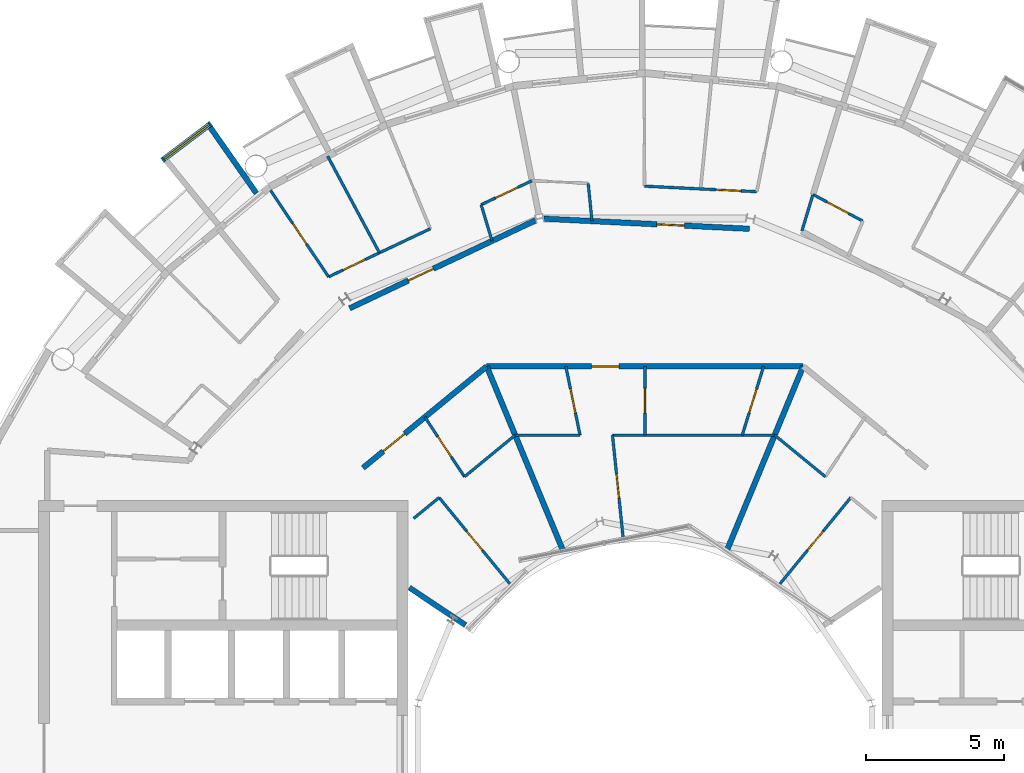
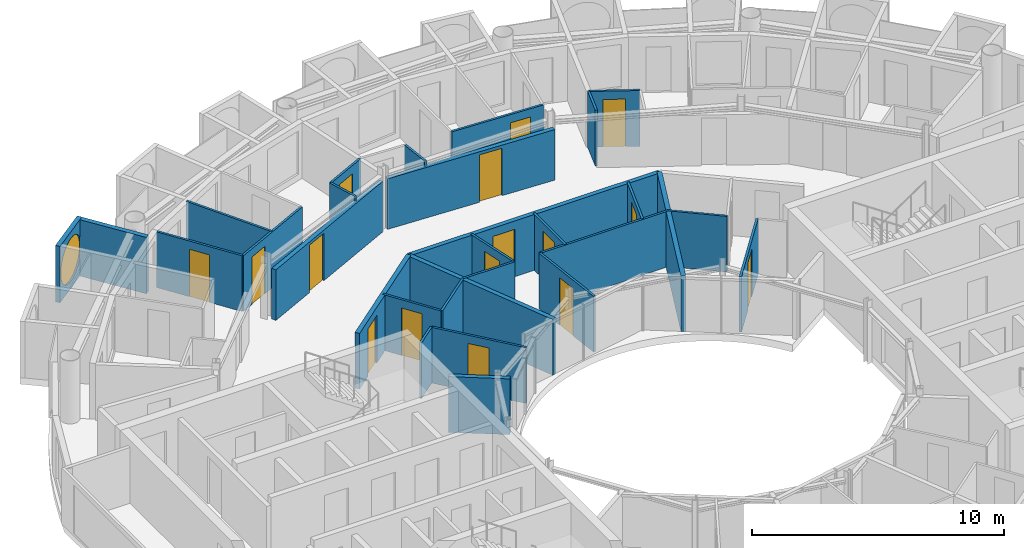
# One storey, part 20 of 27: 30 walls, 16 doors, 1 window, 17 openings.
"""IFC4 building model written with IfcOpenShell, lengths in metres."""

from ifc_helpers import new_model, si_unit, direction, frame, frame_2d, origin, place, context, subcontext, project, spatial, rectangle, circle, extrude, material, layer, layer_set, type_object, element, fill, save


model = new_model("IFC4")

# Units and contexts
model_context = context("Model", 3, precision=1e-05, world=origin(), true_north=direction((0.0, 1.0)))
body_context = subcontext(model_context, "Body", "Model", "MODEL_VIEW")
ifc_project = project(units=[si_unit("LENGTHUNIT", "METRE"), si_unit("AREAUNIT", "SQUARE_METRE"), si_unit("VOLUMEUNIT", "CUBIC_METRE"), si_unit("PLANEANGLEUNIT", "RADIAN"), si_unit("MASSUNIT", "GRAM", prefix="KILO")], contexts=[model_context])

# Site, building, storey
site_placement = place(None, origin())
site = spatial("IfcSite", under=ifc_project, at=site_placement, CompositionType="ELEMENT")
building_placement = place(site_placement, origin())
building = spatial("IfcBuilding", under=site, at=building_placement, Name="Maasbend Ring Residences", CompositionType="ELEMENT")
storey_placement = place(building_placement, frame((0.0, 0.0, 240.14990234375)))
storey = spatial("IfcBuildingStorey", under=building, at=storey_placement, Name="L69", CompositionType="ELEMENT", Elevation=240.14990234375)

# Wall, opening, door
ifc_material_1 = material(Name="Concrete C30/37", Category="concrete")
ifc_layer_1 = layer(ifc_material_1, 0.199951171875)
ifc_layer_set_1 = layer_set([ifc_layer_1], Name="Concrete C30/37")
wall_type_1 = type_object("IfcWallType", Name="CORRIDOR WALL 200 CONCRETE", PredefinedType="PARTITIONING", material=ifc_layer_set_1)
wall_1_placement = place(storey_placement, frame((-5.739990234375, 13.85791015625, 0.0), z_axis=(0.0, 0.0, 1.0), x_axis=(1.0, 0.0, 0.0)))
wall_1 = element("IfcWall", 1, at=wall_1_placement, inside=storey, type_object=wall_type_1, Name="U-L69-w105", PredefinedType="PARTITIONING", context=body_context, shape_type="SweptSolid", body=[
    extrude(rectangle(XDim=11.47998046875, YDim=0.199951171875, at=frame_2d((5.739990234375, 0.0))), origin(), (0.0, 0.0, 1.0), 2.7001953125),
])
opening_1_placement = place(wall_1_placement, frame((3.804931640625, 0.0, 0.0)))
opening_1 = element("IfcOpeningElement", 2, at=opening_1_placement, cuts=wall_1, Name="Opening D-6924", PredefinedType="OPENING", context=body_context, shape_type="SweptSolid", body=[
    extrude(rectangle(XDim=1.0, YDim=2.300048828125, at=frame_2d((0.5, 1.14990234375))), frame((0.0, 0.10986328125, 0.0), z_axis=(0.0, -1.0, 0.0), x_axis=(1.0, 0.0, 0.0)), (0.0, 0.0, 1.0), 0.219970703125),
])
ifc_material_2 = material(Name="Timber, fire-rated, painted", Category="wood")
door_type_1 = type_object("IfcDoorType", Name="FLAT ENTRANCE DOOR 1000 X 2300 FIRE-RATED", OperationType="NOTDEFINED", PredefinedType="DOOR", material=ifc_material_2)
door_1_placement = place(opening_1_placement, origin())
door_1 = element("IfcDoor", 3, at=door_1_placement, inside=storey, type_object=door_type_1, Name="D-6924", OperationType="SINGLE_SWING_LEFT", OverallHeight=2.300048828125, OverallWidth=1.0, PredefinedType="DOOR", context=body_context, shape_type="SweptSolid", body=[
    extrude(rectangle(XDim=1.0, YDim=2.300048828125, at=frame_2d((0.5, 1.14990234375))), frame((0.0, 0.02490234375, 0.0), z_axis=(0.0, -1.0, 0.0), x_axis=(1.0, 0.0, 0.0)), (0.0, 0.0, 1.0), 0.050048828125),
])
fill(opening_1, door_1)

wall_2_placement = place(storey_placement, frame((-10.22802734375, 10.175048828125, 0.0), z_axis=(0.0, 0.0, 1.0), x_axis=(0.772989261861, 0.634419105204, 0.0)))
wall_2 = element("IfcWall", 4, at=wall_2_placement, inside=storey, type_object=wall_type_1, Name="U-L69-w106", PredefinedType="PARTITIONING", context=body_context, shape_type="SweptSolid", body=[
    extrude(rectangle(XDim=5.803466796875, YDim=0.199951171875, at=frame_2d((2.90185546875, 0.0))), origin(), (0.0, 0.0, 1.0), 2.7001953125),
])
opening_2_placement = place(wall_2_placement, frame((0.951904296875, 0.0, 0.0)))
opening_2 = element("IfcOpeningElement", 5, at=opening_2_placement, cuts=wall_2, Name="Opening D-6929", PredefinedType="OPENING", context=body_context, shape_type="SweptSolid", body=[
    extrude(rectangle(XDim=1.0, YDim=2.300048828125, at=frame_2d((0.5, 1.14990234375))), frame((0.0, 0.10986328125, 0.0), z_axis=(0.0, -1.0, 0.0), x_axis=(1.0, 0.0, 0.0)), (0.0, 0.0, 1.0), 0.219970703125),
])
door_2_placement = place(opening_2_placement, origin())
door_2 = element("IfcDoor", 6, at=door_2_placement, inside=storey, type_object=door_type_1, Name="D-6929", OperationType="SINGLE_SWING_LEFT", OverallHeight=2.300048828125, OverallWidth=1.0, PredefinedType="DOOR", context=body_context, shape_type="SweptSolid", body=[
    extrude(rectangle(XDim=1.0, YDim=2.300048828125, at=frame_2d((0.5, 1.14990234375))), frame((0.0, 0.02490234375, 0.0), z_axis=(0.0, -1.0, 0.0), x_axis=(1.0, 0.0, 0.0)), (0.0, 0.0, 1.0), 0.050048828125),
])
fill(opening_2, door_2)

wall_3_placement = place(storey_placement, frame((-10.7119140625, 15.965087890625, 0.0), z_axis=(0.0, 0.0, 1.0), x_axis=(0.903916894048, 0.427708134895, 0.0)))
wall_3 = element("IfcWall", 7, at=wall_3_placement, inside=storey, type_object=wall_type_1, Name="U-L69-w108", PredefinedType="PARTITIONING", context=body_context, shape_type="SweptSolid", body=[
    extrude(rectangle(XDim=7.465087890625, YDim=0.199951171875, at=frame_2d((3.732421875, 0.0))), origin(), (0.0, 0.0, 1.0), 2.4501953125),
])
opening_3_placement = place(wall_3_placement, frame((2.35693359375, 0.0, 0.0)))
opening_3 = element("IfcOpeningElement", 8, at=opening_3_placement, cuts=wall_3, Name="Opening D-6913", PredefinedType="OPENING", context=body_context, shape_type="SweptSolid", body=[
    extrude(rectangle(XDim=1.0, YDim=2.300048828125, at=frame_2d((0.5, 1.14990234375))), frame((0.0, 0.10986328125, 0.0), z_axis=(0.0, -1.0, 0.0), x_axis=(1.0, 0.0, 0.0)), (0.0, 0.0, 1.0), 0.219970703125),
])
door_3_placement = place(opening_3_placement, origin())
door_3 = element("IfcDoor", 9, at=door_3_placement, inside=storey, type_object=door_type_1, Name="D-6913", OperationType="SINGLE_SWING_LEFT", OverallHeight=2.300048828125, OverallWidth=1.0, PredefinedType="DOOR", context=body_context, shape_type="SweptSolid", body=[
    extrude(rectangle(XDim=1.0, YDim=2.300048828125, at=frame_2d((0.5, 1.14990234375))), frame((0.0, 0.02490234375, 0.0), z_axis=(0.0, -1.0, 0.0), x_axis=(1.0, 0.0, 0.0)), (0.0, 0.0, 1.0), 0.050048828125),
])
fill(opening_3, door_3)

wall_4_placement = place(storey_placement, frame((-3.6689453125, 19.215087890625, 0.0), z_axis=(0.0, 0.0, 1.0), x_axis=(0.998797907728, -0.049017746978, 0.0)))
wall_4 = element("IfcWall", 10, at=wall_4_placement, inside=storey, type_object=wall_type_1, Name="U-L69-w109", PredefinedType="PARTITIONING", context=body_context, shape_type="SweptSolid", body=[
    extrude(rectangle(XDim=7.466064453125, YDim=0.199951171875, at=frame_2d((3.73291015625, 0.0))), origin(), (0.0, 0.0, 1.0), 2.4501953125),
])
opening_4_placement = place(wall_4_placement, frame((4.10693359375, 0.0, 0.0)))
opening_4 = element("IfcOpeningElement", 11, at=opening_4_placement, cuts=wall_4, Name="Opening D-6908", PredefinedType="OPENING", context=body_context, shape_type="SweptSolid", body=[
    extrude(rectangle(XDim=1.0, YDim=2.300048828125, at=frame_2d((0.5, 1.14990234375))), frame((0.0, 0.10986328125, 0.0), z_axis=(0.0, -1.0, 0.0), x_axis=(1.0, 0.0, 0.0)), (0.0, 0.0, 1.0), 0.219970703125),
])
door_4_placement = place(opening_4_placement, origin())
door_4 = element("IfcDoor", 12, at=door_4_placement, inside=storey, type_object=door_type_1, Name="D-6908", OperationType="SINGLE_SWING_RIGHT", OverallHeight=2.300048828125, OverallWidth=1.0, PredefinedType="DOOR", context=body_context, shape_type="SweptSolid", body=[
    extrude(rectangle(XDim=1.0, YDim=2.300048828125, at=frame_2d((0.5, 1.14990234375))), frame((0.0, 0.02490234375, 0.0), z_axis=(0.0, -1.0, 0.0), x_axis=(1.0, 0.0, 0.0)), (0.0, 0.0, 1.0), 0.050048828125),
])
fill(opening_4, door_4)

# Wall, opening, window
ifc_material_3 = material(Name="Pale anodised aluminium panel", Category="aluminium")
ifc_layer_2 = layer(ifc_material_3, 0.199951171875)
ifc_layer_set_2 = layer_set([ifc_layer_2], Name="EW-BOX")
wall_type_2 = type_object("IfcWallType", Name="EW-BOX", PredefinedType="SOLIDWALL", material=ifc_layer_set_2)
wall_5_placement = place(storey_placement, frame((-15.739990234375, 22.672119140625, -0.02978515625), z_axis=(0.0, 0.0, 1.0), x_axis=(-0.797805050803, -0.602915500641, 0.0)))
wall_5 = element("IfcWall", 13, at=wall_5_placement, inside=storey, type_object=wall_type_2, Name="Box front N17", PredefinedType="SOLIDWALL", context=body_context, shape_type="SweptSolid", body=[
    extrude(rectangle(XDim=2.220947265625, YDim=0.199951171875, at=frame_2d((1.1103515625, 0.0))), origin(), (0.0, 0.0, 1.0), 2.72998046875),
])
opening_5_placement = place(wall_5_placement, frame((0.070556640625, 0.0, 0.330078125)))
opening_5 = element("IfcOpeningElement", 14, at=opening_5_placement, cuts=wall_5, Name="Opening W-RD", PredefinedType="OPENING", context=body_context, shape_type="SweptSolid", body=[
    extrude(circle(Radius=1.0400390625, at=frame_2d((1.0400390625, 1.0400390625))), frame((0.0, 0.10986328125, 0.0), z_axis=(0.0, -1.0, 0.0), x_axis=(1.0, 0.0, 0.0)), (0.0, 0.0, 1.0), 0.219970703125),
])
ifc_material_4 = material(Name="Aluminium and clear glass", Category="aluminium")
window_type = type_object("IfcWindowType", Name="W-RD", PartitioningType="SINGLE_PANEL", PredefinedType="WINDOW", material=ifc_material_4)
window_placement = place(opening_5_placement, origin())
window = element("IfcWindow", 15, at=window_placement, inside=storey, type_object=window_type, Name="Round window N17", OverallHeight=2.080078125, OverallWidth=2.080078125, PartitioningType="SINGLE_PANEL", PredefinedType="WINDOW", context=body_context, shape_type="SweptSolid", body=[
    extrude(circle(Radius=1.0400390625, at=frame_2d((1.0400390625, 1.0400390625))), frame((0.0, 0.030029296875, 0.0), z_axis=(0.0, -1.0, 0.0), x_axis=(1.0, 0.0, 0.0)), (0.0, 0.0, 1.0), 0.06005859375),
])
fill(opening_5, window)

# Wall
wall_6_placement = place(storey_placement, frame((-14.093017578125, 20.137939453125, -0.02978515625), z_axis=(0.0, 0.0, 1.0), x_axis=(-0.573596998419, 0.81913764619, 0.0)))
element("IfcWall", 16, at=wall_6_placement, inside=storey, type_object=wall_type_2, Name="Box side wall N17 left", PredefinedType="SOLIDWALL", context=body_context, shape_type="SweptSolid", body=[
    extrude(rectangle(XDim=2.920166015625, YDim=0.199951171875, at=frame_2d((1.4599609375, 0.0))), origin(), (0.0, 0.0, 1.0), 2.72998046875),
])

# Wall, opening, door
ifc_material_5 = material(Name="Gypsum board on steel studs", Category="steel")
ifc_layer_3 = layer(ifc_material_5, 0.10009765625)
ifc_layer_set_3 = layer_set([ifc_layer_3], Name="PARTITION 100 GYPSUM")
wall_type_3 = type_object("IfcWallType", Name="PARTITION 100 GYPSUM", PredefinedType="PARTITIONING", material=ifc_layer_set_3)
wall_7_placement = place(storey_placement, frame((-13.5810546875, 20.240966796875, 0.0), z_axis=(0.0, 0.0, 1.0), x_axis=(0.557264173653, -0.830335258051, 0.0)))
wall_7 = element("IfcWall", 17, at=wall_7_placement, inside=storey, type_object=wall_type_3, Name="U-L69-w041", PredefinedType="PARTITIONING", context=body_context, shape_type="SweptSolid", body=[
    extrude(rectangle(XDim=3.775634765625, YDim=0.10009765625, at=frame_2d((1.8876953125, 0.0))), origin(), (0.0, 0.0, 1.0), 2.7001953125),
])
opening_6_placement = place(wall_7_placement, frame((1.43798828125, 0.0, 0.0)))
opening_6 = element("IfcOpeningElement", 18, at=opening_6_placement, cuts=wall_7, Name="Opening D-6917", PredefinedType="OPENING", context=body_context, shape_type="SweptSolid", body=[
    extrude(rectangle(XDim=0.89990234375, YDim=2.300048828125, at=frame_2d((0.449951171875, 1.14990234375))), frame((0.0, 0.06005859375, 0.0), z_axis=(0.0, -1.0, 0.0), x_axis=(1.0, 0.0, 0.0)), (0.0, 0.0, 1.0), 0.1201171875),
])
ifc_material_6 = material(Name="Timber, painted", Category="wood")
door_type_2 = type_object("IfcDoorType", Name="INTERNAL DOOR 900 X 2300", OperationType="NOTDEFINED", PredefinedType="DOOR", material=ifc_material_6)
door_5_placement = place(opening_6_placement, origin())
door_5 = element("IfcDoor", 19, at=door_5_placement, inside=storey, type_object=door_type_2, Name="D-6917", OperationType="SINGLE_SWING_LEFT", OverallHeight=2.300048828125, OverallWidth=0.89990234375, PredefinedType="DOOR", context=body_context, shape_type="SweptSolid", body=[
    extrude(rectangle(XDim=0.89990234375, YDim=2.300048828125, at=frame_2d((0.449951171875, 1.14990234375))), frame((0.0, 0.02490234375, 0.0), z_axis=(0.0, -1.0, 0.0), x_axis=(1.0, 0.0, 0.0)), (0.0, 0.0, 1.0), 0.050048828125),
])
fill(opening_6, door_5)

# Wall
wall_8_placement = place(storey_placement, frame((-11.510986328125, 21.486083984375, 0.0), z_axis=(0.0, 0.0, 1.0), x_axis=(0.472243548981, -0.88146811085, 0.0)))
element("IfcWall", 20, at=wall_8_placement, inside=storey, type_object=wall_type_3, Name="U-L69-w043", PredefinedType="PARTITIONING", context=body_context, shape_type="SweptSolid", body=[
    extrude(rectangle(XDim=3.978759765625, YDim=0.10009765625, at=frame_2d((1.9892578125, 0.0))), origin(), (0.0, 0.0, 1.0), 2.7001953125),
])

# Wall, opening, door
wall_9_placement = place(storey_placement, frame((-7.98388671875, 12.01708984375, 0.0), z_axis=(0.0, 0.0, 1.0), x_axis=(0.553289146762, -0.832989267683, 0.0)))
wall_9 = element("IfcWall", 21, at=wall_9_placement, inside=storey, type_object=wall_type_3, Name="U-L69-w046", PredefinedType="PARTITIONING", context=body_context, shape_type="SweptSolid", body=[
    extrude(rectangle(XDim=2.5966796875, YDim=0.10009765625, at=frame_2d((1.29833984375, 0.0))), origin(), (0.0, 0.0, 1.0), 2.7001953125),
])
opening_7_placement = place(wall_9_placement, frame((0.847900390625, 0.0, 0.0)))
opening_7 = element("IfcOpeningElement", 22, at=opening_7_placement, cuts=wall_9, Name="Opening D-6930", PredefinedType="OPENING", context=body_context, shape_type="SweptSolid", body=[
    extrude(rectangle(XDim=0.89990234375, YDim=2.300048828125, at=frame_2d((0.449951171875, 1.14990234375))), frame((0.0, 0.06005859375, 0.0), z_axis=(0.0, -1.0, 0.0), x_axis=(1.0, 0.0, 0.0)), (0.0, 0.0, 1.0), 0.1201171875),
])
door_6_placement = place(opening_7_placement, origin())
door_6 = element("IfcDoor", 23, at=door_6_placement, inside=storey, type_object=door_type_2, Name="D-6930", OperationType="SINGLE_SWING_RIGHT", OverallHeight=2.300048828125, OverallWidth=0.89990234375, PredefinedType="DOOR", context=body_context, shape_type="SweptSolid", body=[
    extrude(rectangle(XDim=0.89990234375, YDim=2.300048828125, at=frame_2d((0.449951171875, 1.14990234375))), frame((0.0, 0.02490234375, 0.0), z_axis=(0.0, -1.0, 0.0), x_axis=(1.0, 0.0, 0.0)), (0.0, 0.0, 1.0), 0.050048828125),
])
fill(opening_7, door_6)

wall_10_placement = place(storey_placement, frame((-7.467041015625, 9.09912109375, 0.0), z_axis=(0.0, 0.0, 1.0), x_axis=(0.634313840507, -0.773075644256, 0.0)))
wall_10 = element("IfcWall", 24, at=wall_10_placement, inside=storey, type_object=wall_type_3, Name="U-L69-w049", PredefinedType="PARTITIONING", context=body_context, shape_type="SweptSolid", body=[
    extrude(rectangle(XDim=4.05029296875, YDim=0.10009765625, at=frame_2d((2.025146484375, 0.0))), origin(), (0.0, 0.0, 1.0), 2.7001953125),
])
opening_8_placement = place(wall_10_placement, frame((1.574951171875, 0.0, 0.0)))
opening_8 = element("IfcOpeningElement", 25, at=opening_8_placement, cuts=wall_10, Name="Opening D-6931", PredefinedType="OPENING", context=body_context, shape_type="SweptSolid", body=[
    extrude(rectangle(XDim=0.89990234375, YDim=2.300048828125, at=frame_2d((0.449951171875, 1.14990234375))), frame((0.0, 0.06005859375, 0.0), z_axis=(0.0, -1.0, 0.0), x_axis=(1.0, 0.0, 0.0)), (0.0, 0.0, 1.0), 0.1201171875),
])
door_7_placement = place(opening_8_placement, origin())
door_7 = element("IfcDoor", 26, at=door_7_placement, inside=storey, type_object=door_type_2, Name="D-6931", OperationType="SINGLE_SWING_RIGHT", OverallHeight=2.300048828125, OverallWidth=0.89990234375, PredefinedType="DOOR", context=body_context, shape_type="SweptSolid", body=[
    extrude(rectangle(XDim=0.89990234375, YDim=2.300048828125, at=frame_2d((0.449951171875, 1.14990234375))), frame((0.0, 0.02490234375, 0.0), z_axis=(0.0, -1.0, 0.0), x_axis=(1.0, 0.0, 0.0)), (0.0, 0.0, 1.0), 0.050048828125),
])
fill(opening_8, door_7)

# Wall
wall_11_placement = place(storey_placement, frame((-5.94189453125, 19.72412109375, 0.0), z_axis=(0.0, 0.0, 1.0), x_axis=(0.288309871528, -0.957537162715, 0.0)))
element("IfcWall", 27, at=wall_11_placement, inside=storey, type_object=wall_type_3, Name="U-L69-w051", PredefinedType="PARTITIONING", context=body_context, shape_type="SweptSolid", body=[
    extrude(rectangle(XDim=1.37353515625, YDim=0.10009765625, at=frame_2d((0.686767578125, 0.0))), origin(), (0.0, 0.0, 1.0), 2.7001953125),
])

# Wall, opening, door
wall_12_placement = place(storey_placement, frame((-2.8701171875, 13.85791015625, 0.0), z_axis=(0.0, 0.0, 1.0), x_axis=(0.202656323101, -0.979249924538, 0.0)))
wall_12 = element("IfcWall", 28, at=wall_12_placement, inside=storey, type_object=wall_type_3, Name="U-L69-w057", PredefinedType="PARTITIONING", context=body_context, shape_type="SweptSolid", body=[
    extrude(rectangle(XDim=2.546630859375, YDim=0.10009765625, at=frame_2d((1.2734375, 0.0))), origin(), (0.0, 0.0, 1.0), 2.7001953125),
])
opening_9_placement = place(wall_12_placement, frame((0.822998046875, 0.0, 0.0)))
opening_9 = element("IfcOpeningElement", 29, at=opening_9_placement, cuts=wall_12, Name="Opening D-6925", PredefinedType="OPENING", context=body_context, shape_type="SweptSolid", body=[
    extrude(rectangle(XDim=0.89990234375, YDim=2.300048828125, at=frame_2d((0.449951171875, 1.14990234375))), frame((0.0, 0.06005859375, 0.0), z_axis=(0.0, -1.0, 0.0), x_axis=(1.0, 0.0, 0.0)), (0.0, 0.0, 1.0), 0.1201171875),
])
door_8_placement = place(opening_9_placement, origin())
door_8 = element("IfcDoor", 30, at=door_8_placement, inside=storey, type_object=door_type_2, Name="D-6925", OperationType="SINGLE_SWING_RIGHT", OverallHeight=2.300048828125, OverallWidth=0.89990234375, PredefinedType="DOOR", context=body_context, shape_type="SweptSolid", body=[
    extrude(rectangle(XDim=0.89990234375, YDim=2.300048828125, at=frame_2d((0.449951171875, 1.14990234375))), frame((0.0, 0.02490234375, 0.0), z_axis=(0.0, -1.0, 0.0), x_axis=(1.0, 0.0, 0.0)), (0.0, 0.0, 1.0), 0.050048828125),
])
fill(opening_9, door_8)

# Wall
wall_13_placement = place(storey_placement, frame((-2.05810546875, 20.49609375, 0.0), z_axis=(0.0, 0.0, 1.0), x_axis=(0.099926216162, -0.994994849898, 0.0)))
element("IfcWall", 31, at=wall_13_placement, inside=storey, type_object=wall_type_3, Name="U-L69-w059", PredefinedType="PARTITIONING", context=body_context, shape_type="SweptSolid", body=[
    extrude(rectangle(XDim=1.373046875, YDim=0.10009765625, at=frame_2d((0.6865234375, 0.0))), origin(), (0.0, 0.0, 1.0), 2.7001953125),
])

# Wall, opening, door
wall_14_placement = place(storey_placement, frame((-1.177001953125, 11.364013671875, 0.0), z_axis=(0.0, 0.0, 1.0), x_axis=(0.103130722413, -0.994667810927, 0.0)))
wall_14 = element("IfcWall", 32, at=wall_14_placement, inside=storey, type_object=wall_type_3, Name="U-L69-w060", PredefinedType="PARTITIONING", context=body_context, shape_type="SweptSolid", body=[
    extrude(rectangle(XDim=3.704833984375, YDim=0.10009765625, at=frame_2d((1.8525390625, 0.0))), origin(), (0.0, 0.0, 1.0), 2.7001953125),
])
opening_10_placement = place(wall_14_placement, frame((1.402099609375, 0.0, 0.0)))
opening_10 = element("IfcOpeningElement", 33, at=opening_10_placement, cuts=wall_14, Name="Opening D-6928", PredefinedType="OPENING", context=body_context, shape_type="SweptSolid", body=[
    extrude(rectangle(XDim=0.89990234375, YDim=2.300048828125, at=frame_2d((0.449951171875, 1.14990234375))), frame((0.0, 0.06005859375, 0.0), z_axis=(0.0, -1.0, 0.0), x_axis=(1.0, 0.0, 0.0)), (0.0, 0.0, 1.0), 0.1201171875),
])
door_9_placement = place(opening_10_placement, origin())
door_9 = element("IfcDoor", 34, at=door_9_placement, inside=storey, type_object=door_type_2, Name="D-6928", OperationType="SINGLE_SWING_RIGHT", OverallHeight=2.300048828125, OverallWidth=0.89990234375, PredefinedType="DOOR", context=body_context, shape_type="SweptSolid", body=[
    extrude(rectangle(XDim=0.89990234375, YDim=2.300048828125, at=frame_2d((0.449951171875, 1.14990234375))), frame((0.0, 0.02490234375, 0.0), z_axis=(0.0, -1.0, 0.0), x_axis=(1.0, 0.0, 0.0)), (0.0, 0.0, 1.0), 0.050048828125),
])
fill(opening_10, door_9)

wall_15_placement = place(storey_placement, frame((0.0, 11.364013671875, 0.0), z_axis=(0.0, 0.0, 1.0), x_axis=(0.0, 1.0, 0.0)))
wall_15 = element("IfcWall", 35, at=wall_15_placement, inside=storey, type_object=wall_type_3, Name="U-L69-w064", PredefinedType="PARTITIONING", context=body_context, shape_type="SweptSolid", body=[
    extrude(rectangle(XDim=2.493896484375, YDim=0.10009765625, at=frame_2d((1.2470703125, 0.0))), origin(), (0.0, 0.0, 1.0), 2.7001953125),
])
opening_11_placement = place(wall_15_placement, frame((0.797119140625, 0.0, 0.0)))
opening_11 = element("IfcOpeningElement", 36, at=opening_11_placement, cuts=wall_15, Name="Opening D-6926", PredefinedType="OPENING", context=body_context, shape_type="SweptSolid", body=[
    extrude(rectangle(XDim=0.89990234375, YDim=2.300048828125, at=frame_2d((0.449951171875, 1.14990234375))), frame((0.0, 0.06005859375, 0.0), z_axis=(0.0, -1.0, 0.0), x_axis=(1.0, 0.0, 0.0)), (0.0, 0.0, 1.0), 0.1201171875),
])
door_10_placement = place(opening_11_placement, origin())
door_10 = element("IfcDoor", 37, at=door_10_placement, inside=storey, type_object=door_type_2, Name="D-6926", OperationType="SINGLE_SWING_RIGHT", OverallHeight=2.300048828125, OverallWidth=0.89990234375, PredefinedType="DOOR", context=body_context, shape_type="SweptSolid", body=[
    extrude(rectangle(XDim=0.89990234375, YDim=2.300048828125, at=frame_2d((0.449951171875, 1.14990234375))), frame((0.0, 0.02490234375, 0.0), z_axis=(0.0, -1.0, 0.0), x_axis=(1.0, 0.0, 0.0)), (0.0, 0.0, 1.0), 0.050048828125),
])
fill(opening_11, door_10)

wall_16_placement = place(storey_placement, frame((3.530029296875, 11.364013671875, 0.0), z_axis=(0.0, 0.0, 1.0), x_axis=(0.296725588533, 0.954962787291, 0.0)))
wall_16 = element("IfcWall", 38, at=wall_16_placement, inside=storey, type_object=wall_type_3, Name="U-L69-w070", PredefinedType="PARTITIONING", context=body_context, shape_type="SweptSolid", body=[
    extrude(rectangle(XDim=2.611572265625, YDim=0.10009765625, at=frame_2d((1.3056640625, 0.0))), origin(), (0.0, 0.0, 1.0), 2.7001953125),
])
opening_12_placement = place(wall_16_placement, frame((0.85595703125, 0.0, 0.0)))
opening_12 = element("IfcOpeningElement", 39, at=opening_12_placement, cuts=wall_16, Name="Opening D-6927", PredefinedType="OPENING", context=body_context, shape_type="SweptSolid", body=[
    extrude(rectangle(XDim=0.89990234375, YDim=2.300048828125, at=frame_2d((0.449951171875, 1.14990234375))), frame((0.0, 0.06005859375, 0.0), z_axis=(0.0, -1.0, 0.0), x_axis=(1.0, 0.0, 0.0)), (0.0, 0.0, 1.0), 0.1201171875),
])
door_11_placement = place(opening_12_placement, origin())
door_11 = element("IfcDoor", 40, at=door_11_placement, inside=storey, type_object=door_type_2, Name="D-6927", OperationType="SINGLE_SWING_RIGHT", OverallHeight=2.300048828125, OverallWidth=0.89990234375, PredefinedType="DOOR", context=body_context, shape_type="SweptSolid", body=[
    extrude(rectangle(XDim=0.89990234375, YDim=2.300048828125, at=frame_2d((0.449951171875, 1.14990234375))), frame((0.0, 0.02490234375, 0.0), z_axis=(0.0, -1.0, 0.0), x_axis=(1.0, 0.0, 0.0)), (0.0, 0.0, 1.0), 0.050048828125),
])
fill(opening_12, door_11)

wall_17_placement = place(storey_placement, frame((4.89794921875, 5.968017578125, 0.0), z_axis=(0.0, 0.0, 1.0), x_axis=(0.634313840507, 0.773075644256, 0.0)))
wall_17 = element("IfcWall", 41, at=wall_17_placement, inside=storey, type_object=wall_type_3, Name="U-L69-w074", PredefinedType="PARTITIONING", context=body_context, shape_type="SweptSolid", body=[
    extrude(rectangle(XDim=4.05029296875, YDim=0.10009765625, at=frame_2d((2.025146484375, 0.0))), origin(), (0.0, 0.0, 1.0), 2.7001953125),
])
opening_13_placement = place(wall_17_placement, frame((1.574951171875, 0.0, 0.0)))
opening_13 = element("IfcOpeningElement", 42, at=opening_13_placement, cuts=wall_17, Name="Opening D-6923", PredefinedType="OPENING", context=body_context, shape_type="SweptSolid", body=[
    extrude(rectangle(XDim=0.89990234375, YDim=2.300048828125, at=frame_2d((0.449951171875, 1.14990234375))), frame((0.0, 0.06005859375, 0.0), z_axis=(0.0, -1.0, 0.0), x_axis=(1.0, 0.0, 0.0)), (0.0, 0.0, 1.0), 0.1201171875),
])
door_12_placement = place(opening_13_placement, origin())
door_12 = element("IfcDoor", 43, at=door_12_placement, inside=storey, type_object=door_type_2, Name="D-6923", OperationType="SINGLE_SWING_RIGHT", OverallHeight=2.300048828125, OverallWidth=0.89990234375, PredefinedType="DOOR", context=body_context, shape_type="SweptSolid", body=[
    extrude(rectangle(XDim=0.89990234375, YDim=2.300048828125, at=frame_2d((0.449951171875, 1.14990234375))), frame((0.0, 0.02490234375, 0.0), z_axis=(0.0, -1.0, 0.0), x_axis=(1.0, 0.0, 0.0)), (0.0, 0.0, 1.0), 0.050048828125),
])
fill(opening_13, door_12)

# Walls
wall_18_placement = place(storey_placement, frame((-4.70703125, 11.364013671875, 0.0), z_axis=(0.0, 0.0, 1.0), x_axis=(1.0, 0.0, 0.0)))
element("IfcWall", 44, at=wall_18_placement, inside=storey, type_object=wall_type_3, Name="U-L69-w099", PredefinedType="PARTITIONING", context=body_context, shape_type="SweptSolid", body=[
    extrude(rectangle(XDim=2.35302734375, YDim=0.10009765625, at=frame_2d((1.176513671875, 0.0))), origin(), (0.0, 0.0, 1.0), 2.7001953125),
])
wall_19_placement = place(storey_placement, frame((-1.177001953125, 11.364013671875, 0.0), z_axis=(0.0, 0.0, 1.0), x_axis=(1.0, 0.0, 0.0)))
element("IfcWall", 45, at=wall_19_placement, inside=storey, type_object=wall_type_3, Name="U-L69-w100", PredefinedType="PARTITIONING", context=body_context, shape_type="SweptSolid", body=[
    extrude(rectangle(XDim=5.884033203125, YDim=0.10009765625, at=frame_2d((2.94189453125, 0.0))), origin(), (0.0, 0.0, 1.0), 2.7001953125),
])
wall_20_placement = place(storey_placement, frame((-8.386962890625, 8.343994140625, 0.0), z_axis=(0.0, 0.0, 1.0), x_axis=(0.772869802794, 0.634564628646, 0.0)))
element("IfcWall", 46, at=wall_20_placement, inside=storey, type_object=wall_type_3, Name="U-L69-w101", PredefinedType="PARTITIONING", context=body_context, shape_type="SweptSolid", body=[
    extrude(rectangle(XDim=1.191650390625, YDim=0.10009765625, at=frame_2d((0.595703125, 0.0))), origin(), (0.0, 0.0, 1.0), 2.7001953125),
])
for number, where, z_axis, x_axis, name in (
    (47, (-6.547119140625, 9.85400390625, 0.0), (0.0, 0.0, 1.0), (0.773033390712, 0.634365333893, 0.0), "U-L69-w102"),
    (48, (4.70703125, 11.364013671875, 0.0), (0.0, 0.0, 1.0), (0.773033390712, -0.634365333893, 0.0), "U-L69-w103"),
):
    element("IfcWall", number, at=place(storey_placement, frame(where, z_axis=z_axis, x_axis=x_axis)), inside=storey, type_object=wall_type_3, Name=name, PredefinedType="PARTITIONING", context=body_context, shape_type="SweptSolid", body=[
        extrude(rectangle(XDim=2.38037109375, YDim=0.10009765625, at=frame_2d((1.190185546875, 0.0))), origin(), (0.0, 0.0, 1.0), 2.7001953125),
    ])

# Wall, opening, door
wall_21_placement = place(storey_placement, frame((-11.47705078125, 17.10595703125, 0.0), z_axis=(0.0, 0.0, 1.0), x_axis=(0.903998300084, 0.427536049292, 0.0)))
wall_21 = element("IfcWall", 49, at=wall_21_placement, inside=storey, type_object=wall_type_3, Name="U-L69-w115", PredefinedType="PARTITIONING", context=body_context, shape_type="SweptSolid", body=[
    extrude(rectangle(XDim=4.081787109375, YDim=0.10009765625, at=frame_2d((2.041015625, 0.0))), origin(), (0.0, 0.0, 1.0), 2.7001953125),
])
opening_14_placement = place(wall_21_placement, frame((0.572998046875, 0.0, 0.0)))
opening_14 = element("IfcOpeningElement", 50, at=opening_14_placement, cuts=wall_21, Name="Opening D-6916", PredefinedType="OPENING", context=body_context, shape_type="SweptSolid", body=[
    extrude(rectangle(XDim=0.89990234375, YDim=2.300048828125, at=frame_2d((0.449951171875, 1.14990234375))), frame((0.0, 0.06005859375, 0.0), z_axis=(0.0, -1.0, 0.0), x_axis=(1.0, 0.0, 0.0)), (0.0, 0.0, 1.0), 0.1201171875),
])
door_13_placement = place(opening_14_placement, origin())
door_13 = element("IfcDoor", 51, at=door_13_placement, inside=storey, type_object=door_type_2, Name="D-6916", OperationType="SINGLE_SWING_LEFT", OverallHeight=2.300048828125, OverallWidth=0.89990234375, PredefinedType="DOOR", context=body_context, shape_type="SweptSolid", body=[
    extrude(rectangle(XDim=0.89990234375, YDim=2.300048828125, at=frame_2d((0.449951171875, 1.14990234375))), frame((0.0, 0.02490234375, 0.0), z_axis=(0.0, -1.0, 0.0), x_axis=(1.0, 0.0, 0.0)), (0.0, 0.0, 1.0), 0.050048828125),
])
fill(opening_14, door_13)

wall_22_placement = place(storey_placement, frame((-5.946044921875, 19.721923828125, 0.0), z_axis=(0.0, 0.0, 1.0), x_axis=(0.904090755772, 0.427340502794, 0.0)))
wall_22 = element("IfcWall", 52, at=wall_22_placement, inside=storey, type_object=wall_type_3, Name="U-L69-w116", PredefinedType="PARTITIONING", context=body_context, shape_type="SweptSolid", body=[
    extrude(rectangle(XDim=2.040771484375, YDim=0.10009765625, at=frame_2d((1.0205078125, 0.0))), origin(), (0.0, 0.0, 1.0), 2.7001953125),
])
opening_15_placement = place(wall_22_placement, frame((0.574951171875, 0.0, 0.0)))
opening_15 = element("IfcOpeningElement", 53, at=opening_15_placement, cuts=wall_22, Name="Opening D-6914", PredefinedType="OPENING", context=body_context, shape_type="SweptSolid", body=[
    extrude(rectangle(XDim=0.89990234375, YDim=2.300048828125, at=frame_2d((0.449951171875, 1.14990234375))), frame((0.0, 0.06005859375, 0.0), z_axis=(0.0, -1.0, 0.0), x_axis=(1.0, 0.0, 0.0)), (0.0, 0.0, 1.0), 0.1201171875),
])
door_14_placement = place(opening_15_placement, origin())
door_14 = element("IfcDoor", 54, at=door_14_placement, inside=storey, type_object=door_type_2, Name="D-6914", OperationType="SINGLE_SWING_RIGHT", OverallHeight=2.300048828125, OverallWidth=0.89990234375, PredefinedType="DOOR", context=body_context, shape_type="SweptSolid", body=[
    extrude(rectangle(XDim=0.89990234375, YDim=2.300048828125, at=frame_2d((0.449951171875, 1.14990234375))), frame((0.0, 0.02490234375, 0.0), z_axis=(0.0, -1.0, 0.0), x_axis=(1.0, 0.0, 0.0)), (0.0, 0.0, 1.0), 0.050048828125),
])
fill(opening_15, door_14)

wall_23_placement = place(storey_placement, frame((-0.02001953125, 20.39599609375, 0.0), z_axis=(0.0, 0.0, 1.0), x_axis=(0.998799466584, -0.048985973, 0.0)))
wall_23 = element("IfcWall", 55, at=wall_23_placement, inside=storey, type_object=wall_type_3, Name="U-L69-w118", PredefinedType="PARTITIONING", context=body_context, shape_type="SweptSolid", body=[
    extrude(rectangle(XDim=4.081787109375, YDim=0.10009765625, at=frame_2d((2.041015625, 0.0))), origin(), (0.0, 0.0, 1.0), 2.7001953125),
])
opening_16_placement = place(wall_23_placement, frame((2.612060546875, 0.0, 0.0)))
opening_16 = element("IfcOpeningElement", 56, at=opening_16_placement, cuts=wall_23, Name="Opening D-6911", PredefinedType="OPENING", context=body_context, shape_type="SweptSolid", body=[
    extrude(rectangle(XDim=0.89990234375, YDim=2.300048828125, at=frame_2d((0.449951171875, 1.14990234375))), frame((0.0, 0.06005859375, 0.0), z_axis=(0.0, -1.0, 0.0), x_axis=(1.0, 0.0, 0.0)), (0.0, 0.0, 1.0), 0.1201171875),
])
door_15_placement = place(opening_16_placement, origin())
door_15 = element("IfcDoor", 57, at=door_15_placement, inside=storey, type_object=door_type_2, Name="D-6911", OperationType="SINGLE_SWING_RIGHT", OverallHeight=2.300048828125, OverallWidth=0.89990234375, PredefinedType="DOOR", context=body_context, shape_type="SweptSolid", body=[
    extrude(rectangle(XDim=0.89990234375, YDim=2.300048828125, at=frame_2d((0.449951171875, 1.14990234375))), frame((0.0, 0.02490234375, 0.0), z_axis=(0.0, -1.0, 0.0), x_axis=(1.0, 0.0, 0.0)), (0.0, 0.0, 1.0), 0.050048828125),
])
fill(opening_16, door_15)

wall_24_placement = place(storey_placement, frame((6.095947265625, 20.095947265625, 0.0), z_axis=(0.0, 0.0, 1.0), x_axis=(0.881894091163, -0.471447570756, 0.0)))
wall_24 = element("IfcWall", 58, at=wall_24_placement, inside=storey, type_object=wall_type_3, Name="U-L69-w119", PredefinedType="PARTITIONING", context=body_context, shape_type="SweptSolid", body=[
    extrude(rectangle(XDim=2.049072265625, YDim=0.10009765625, at=frame_2d((1.0244140625, 0.0))), origin(), (0.0, 0.0, 1.0), 2.7001953125),
])
opening_17_placement = place(wall_24_placement, frame((0.574951171875, 0.0, 0.0)))
opening_17 = element("IfcOpeningElement", 59, at=opening_17_placement, cuts=wall_24, Name="Opening D-6905", PredefinedType="OPENING", context=body_context, shape_type="SweptSolid", body=[
    extrude(rectangle(XDim=0.89990234375, YDim=2.300048828125, at=frame_2d((0.449951171875, 1.14990234375))), frame((0.0, 0.06005859375, 0.0), z_axis=(0.0, -1.0, 0.0), x_axis=(1.0, 0.0, 0.0)), (0.0, 0.0, 1.0), 0.1201171875),
])
door_16_placement = place(opening_17_placement, origin())
door_16 = element("IfcDoor", 60, at=door_16_placement, inside=storey, type_object=door_type_2, Name="D-6905", OperationType="SINGLE_SWING_LEFT", OverallHeight=2.300048828125, OverallWidth=0.89990234375, PredefinedType="DOOR", context=body_context, shape_type="SweptSolid", body=[
    extrude(rectangle(XDim=0.89990234375, YDim=2.300048828125, at=frame_2d((0.449951171875, 1.14990234375))), frame((0.0, 0.02490234375, 0.0), z_axis=(0.0, -1.0, 0.0), x_axis=(1.0, 0.0, 0.0)), (0.0, 0.0, 1.0), 0.050048828125),
])
fill(opening_17, door_16)

# Walls
wall_25_placement = place(storey_placement, frame((5.696044921875, 18.77587890625, 0.0), z_axis=(0.0, 0.0, 1.0), x_axis=(0.290067250827, 0.957006264346, 0.0)))
element("IfcWall", 61, at=wall_25_placement, inside=storey, type_object=wall_type_3, Name="U-L69-w127", PredefinedType="PARTITIONING", context=body_context, shape_type="SweptSolid", body=[
    extrude(rectangle(XDim=1.3583984375, YDim=0.10009765625, at=frame_2d((0.67919921875, 0.0))), origin(), (0.0, 0.0, 1.0), 2.7001953125),
])
ifc_material_7 = material(Name="Concrete C30/37", Category="concrete")
ifc_layer_4 = layer(ifc_material_7, 0.199951171875)
ifc_layer_set_4 = layer_set([ifc_layer_4], Name="Concrete C30/37")
wall_type_4 = type_object("IfcWallType", Name="PARTY WALL 200 CONCRETE", PredefinedType="PARTITIONING", material=ifc_layer_set_4)
for number, where, z_axis, x_axis, name in (
    (62, (-5.739990234375, 13.85791015625, 0.0), (0.0, 0.0, 1.0), (0.38267858248, -0.923881541385, 0.0), "U-L69-w052"),
    (63, (2.9541015625, 7.132080078125, 0.0), (0.0, 0.0, 1.0), (0.38267858248, 0.923881541385, 0.0), "U-L69-w069"),
):
    element("IfcWall", number, at=place(storey_placement, frame(where, z_axis=z_axis, x_axis=x_axis)), inside=storey, type_object=wall_type_4, Name=name, PredefinedType="PARTITIONING", context=body_context, shape_type="SweptSolid", body=[
        extrude(rectangle(XDim=7.280029296875, YDim=0.199951171875, at=frame_2d((3.64013671875, 0.0))), origin(), (0.0, 0.0, 1.0), 2.7001953125),
    ])
wall_26_placement = place(storey_placement, frame((-6.512939453125, 4.471923828125, 0.0), z_axis=(0.0, 0.0, 1.0), x_axis=(-0.831450132577, 0.555599385382, 0.0)))
element("IfcWall", 64, at=wall_26_placement, inside=storey, type_object=wall_type_4, Name="U-L69-w095", PredefinedType="PARTITIONING", context=body_context, shape_type="SweptSolid", body=[
    extrude(rectangle(XDim=2.442626953125, YDim=0.199951171875, at=frame_2d((1.22119140625, 0.0))), origin(), (0.0, 0.0, 1.0), 2.7001953125),
])

save(model, "model.ifc")
